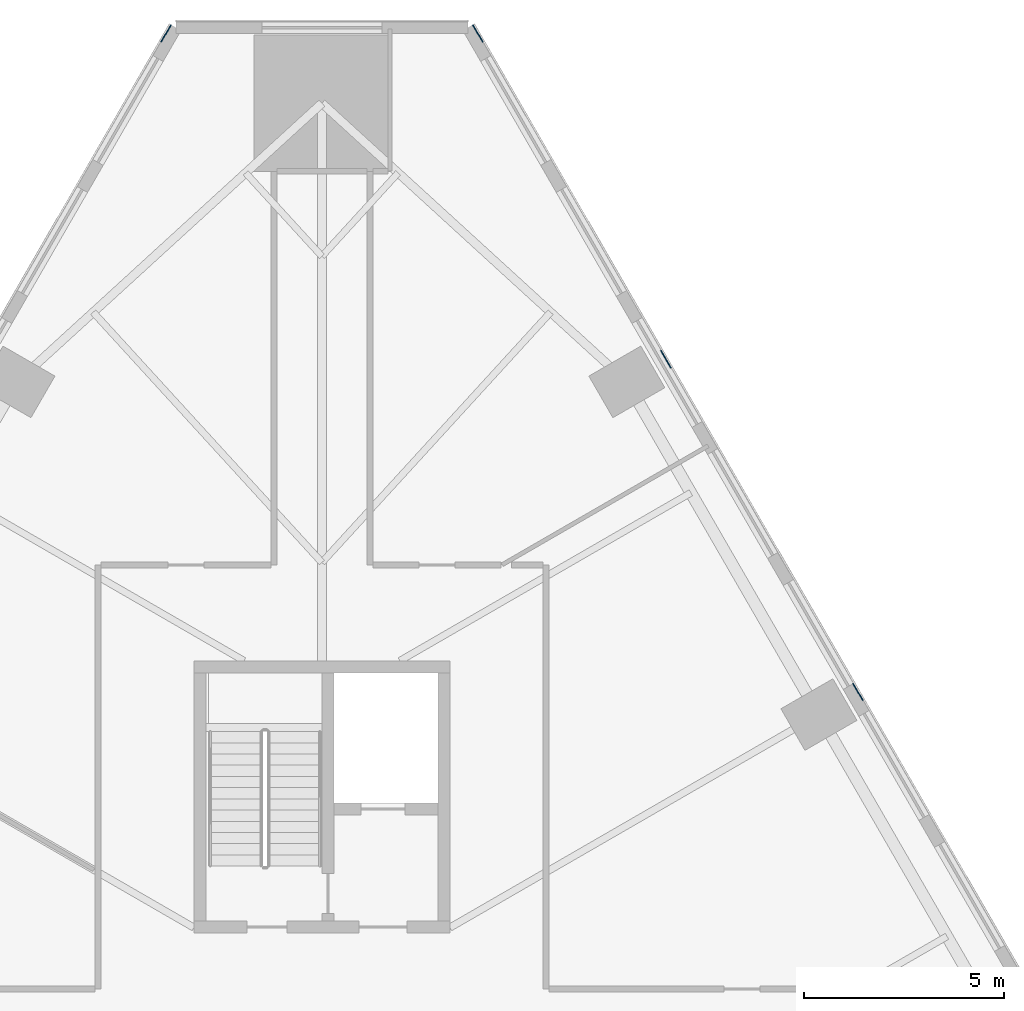
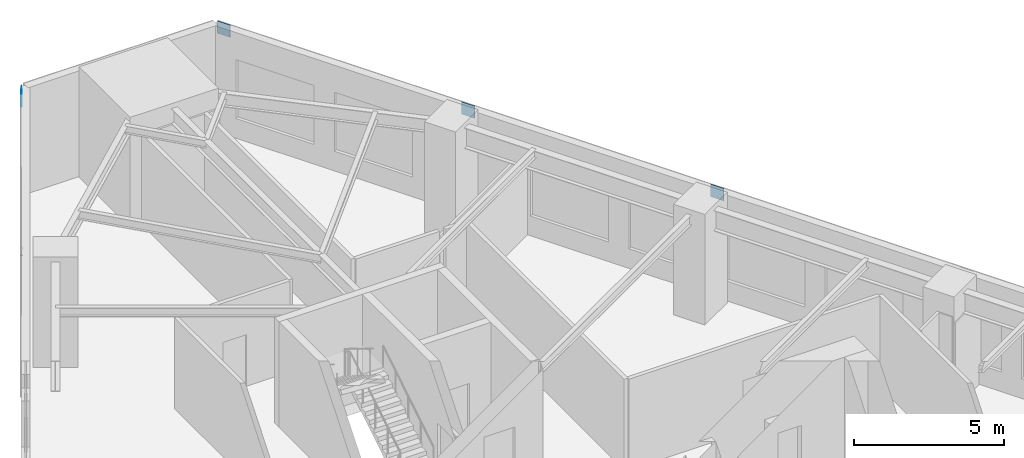
# One storey, part 11 of 14: 4 discrete accessories.
"""IFC4 building model written with IfcOpenShell, lengths in metres."""

from ifc_helpers import new_model, si_unit, direction, frame, origin, origin_2d, place, context, subcontext, project, spatial, rectangle, extrude, material, layer, layer_set, type_object, element, save


model = new_model("IFC4")

# Units and contexts
model_context = context("Model", 3, precision=1e-05, world=origin(), true_north=direction((0.0, 1.0)))
body_context = subcontext(model_context, "Body", "Model", "MODEL_VIEW")
ifc_project = project(units=[si_unit("LENGTHUNIT", "METRE"), si_unit("AREAUNIT", "SQUARE_METRE"), si_unit("VOLUMEUNIT", "CUBIC_METRE"), si_unit("PLANEANGLEUNIT", "RADIAN"), si_unit("MASSUNIT", "GRAM", prefix="KILO")], contexts=[model_context])

# Site, building, storey
site_placement = place(None, origin())
site = spatial("IfcSite", under=ifc_project, at=site_placement, CompositionType="ELEMENT")
building_placement = place(site_placement, origin())
building = spatial("IfcBuilding", under=site, at=building_placement, Name="Firuza Gate Tower and Library", CompositionType="ELEMENT")
storey_placement = place(building_placement, frame((0.0, 0.0, 35.5)))
storey = spatial("IfcBuildingStorey", under=building, at=storey_placement, Name="L07", CompositionType="ELEMENT", Elevation=35.5)

# Discrete accessories
ifc_material = material(Name="Steel S355", Category="steel")
ifc_layer = layer(ifc_material, 0.02490234375)
ifc_layer_set = layer_set([ifc_layer], Name="Cast-in anchor plate 500x500x25 Steel S355")
discrete_accessory_type = type_object("IfcDiscreteAccessoryType", Name="Cast-in anchor plate 500x500x25 Steel S355", PredefinedType="BRACKET", material=ifc_layer_set)
for number, where, z_axis, x_axis, name in (
    (1, (88.39697265625, 93.81982421875, 3.800048828125), (0.0, 0.0, 1.0), (-0.5, 0.866025403784, 0.0), "Cast-in anchor plate"),
    (2, (83.596923828125, 102.1337890625, 3.800048828125), (0.0, 0.0, 1.0), (-0.5, 0.866025403784, 0.0), "Cast-in anchor plate"),
    (3, (78.89599609375, 110.276123046875, 3.800048828125), (0.0, 0.0, 1.0), (-0.5, 0.866025403784, 0.0), "Cast-in anchor plate"),
    (4, (71.10400390625, 110.276123046875, 3.800048828125), (0.0, 0.0, 1.0), (-0.5, -0.866025403784, 0.0), "Cast-in anchor plate"),
):
    element("IfcDiscreteAccessory", number, at=place(storey_placement, frame(where, z_axis=z_axis, x_axis=x_axis)), inside=storey, type_object=discrete_accessory_type, Name=name, PredefinedType="BRACKET", context=body_context, shape_type="SweptSolid", body=[
        extrude(rectangle(XDim=0.5, YDim=0.02490234375, at=origin_2d()), origin(), (0.0, 0.0, 1.0), 0.5),
    ])

save(model, "model.ifc")
